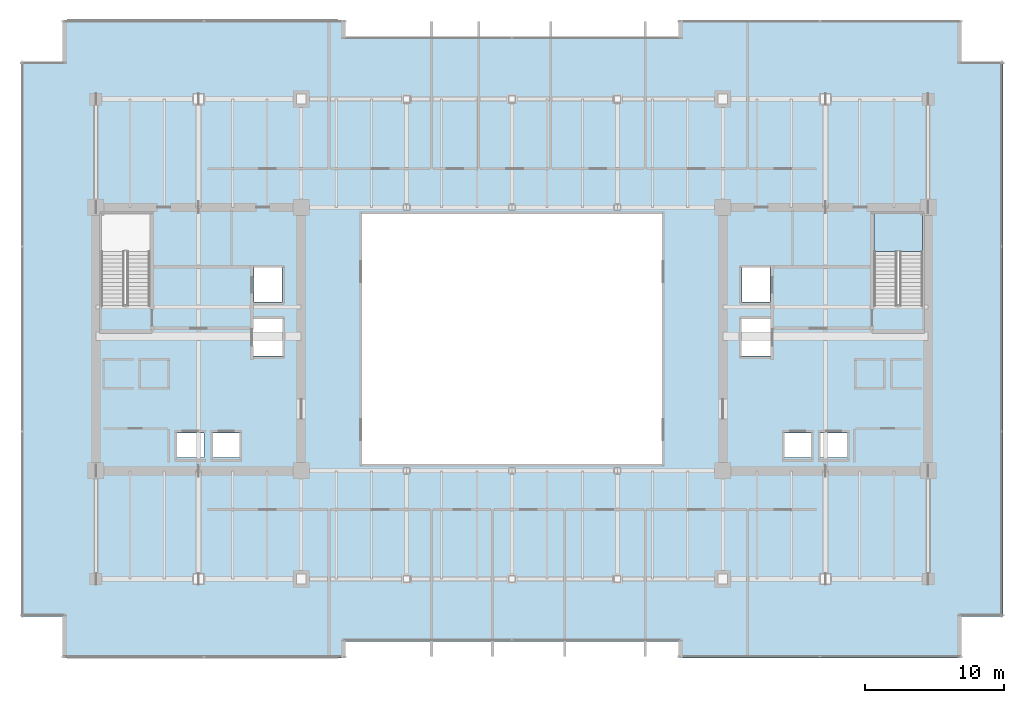
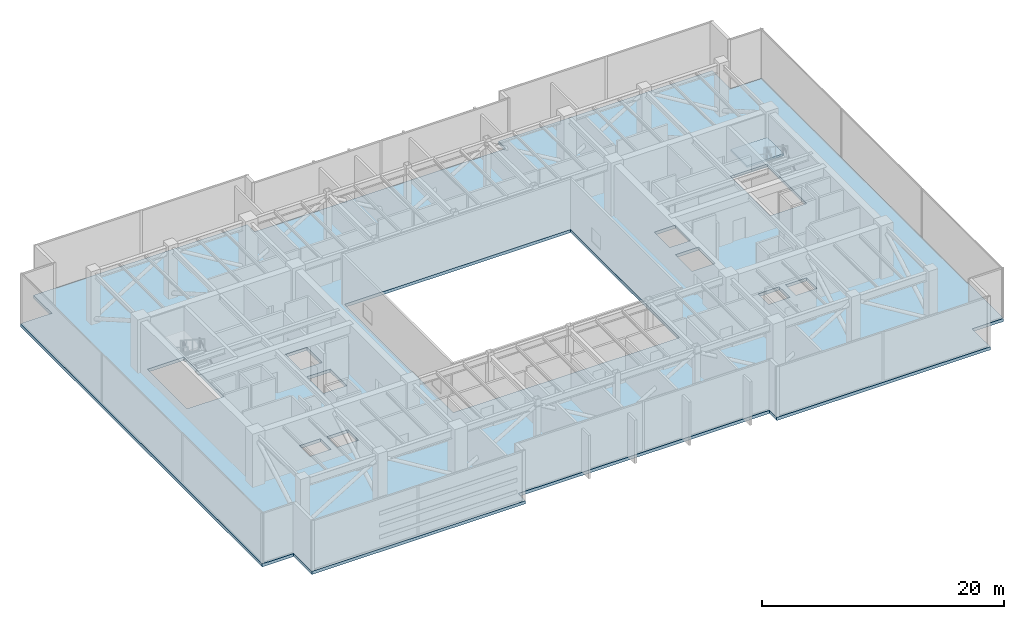
# One storey, part 25 of 34: 2 slabs, 1 element without a shape of its own.
"""IFC4 building model written with IfcOpenShell, lengths in metres."""

from ifc_helpers import new_model, si_unit, direction, frame, origin, place, context, subcontext, project, spatial, polyline, outline, extrude, material, layer, layer_set, type_object, element, aggregate, save


model = new_model("IFC4")

# Units and contexts
model_context = context("Model", 3, precision=1e-05, world=origin(), true_north=direction((0.0, 1.0)))
body_context = subcontext(model_context, "Body", "Model", "MODEL_VIEW")
ifc_project = project(units=[si_unit("LENGTHUNIT", "METRE"), si_unit("AREAUNIT", "SQUARE_METRE"), si_unit("VOLUMEUNIT", "CUBIC_METRE"), si_unit("PLANEANGLEUNIT", "RADIAN"), si_unit("MASSUNIT", "GRAM", prefix="KILO")], contexts=[model_context])

# Site, building, storey
site_placement = place(None, origin())
site = spatial("IfcSite", under=ifc_project, at=site_placement, CompositionType="ELEMENT")
building_placement = place(site_placement, origin())
building = spatial("IfcBuilding", under=site, at=building_placement, Name="Haelvirn Gate Laboratories", CompositionType="ELEMENT")
storey_placement = place(building_placement, frame((0.0, 0.0, 191.199951171875)))
storey = spatial("IfcBuildingStorey", under=building, at=storey_placement, Name="L46", CompositionType="ELEMENT", Elevation=191.199951171875)

# Stair, slab
ifc_material = material(Name="Concrete C40/50", Category="concrete")
stair_type = type_object("IfcStairType", Name="ST-DOG-1650-R30", PredefinedType="HALF_TURN_STAIR", material=ifc_material)
stair_placement = place(storey_placement, origin())
stair = element("IfcStair", 1, at=stair_placement, inside=storey, type_object=stair_type, Name="L46 Escape Stair ST2", PredefinedType="HALF_TURN_STAIR")
ifc_layer_1 = layer(ifc_material, 0.199951171875, Name="SL-STAIR-LND")
ifc_layer_set_1 = layer_set([ifc_layer_1], Name="Concrete C40/50")
slab_type_1 = type_object("IfcSlabType", Name="SL-STAIR-LND", PredefinedType="LANDING", material=ifc_layer_set_1)
slab_1_placement = place(storey_placement, frame((0.0, 0.0, 2.5)))
slab_1 = element("IfcSlab", 2, at=slab_1_placement, type_object=slab_type_1, Name="ST2 landing 1", PredefinedType="LANDING", context=body_context, shape_type="SweptSolid", body=[
    extrude(outline(polyline([(67.0, 30.6201171875), (67.0, 33.35009765625), (63.5, 33.35009765625), (63.5, 30.6201171875), (67.0, 30.6201171875)])), origin(), (0.0, 0.0, 1.0), 0.199951171875),
])
aggregate(stair, [slab_1])

# Slab
ifc_layer_2 = layer(ifc_material, 0.31005859375, Name="SL-Z2-310")
ifc_layer_set_2 = layer_set([ifc_layer_2], Name="Concrete C40/50")
slab_type_2 = type_object("IfcSlabType", Name="SL-Z2-310", PredefinedType="FLOOR", material=ifc_layer_set_2)
slab_2_placement = place(storey_placement, frame((0.0, 0.0, -0.31005859375)))
element("IfcSlab", 3, at=slab_2_placement, inside=storey, type_object=slab_type_2, Name="L46 Structural Slab MAIN", PredefinedType="FLOOR", context=body_context, shape_type="SweptSolid", body=[
    extrude(outline(polyline([(5.0, 1.300048828125), (25.39990234375, 1.300048828125), (25.39990234375, 2.5), (49.39990234375, 2.5), (49.39990234375, 1.300048828125), (69.800048828125, 1.300048828125), (69.800048828125, 4.300048828125), (72.800048828125, 4.300048828125), (72.800048828125, 44.300048828125), (69.800048828125, 44.300048828125), (69.800048828125, 47.300048828125), (49.39990234375, 47.300048828125), (49.39990234375, 46.10009765625), (25.39990234375, 46.10009765625), (25.39990234375, 47.300048828125), (5.0, 47.300048828125), (5.0, 44.300048828125), (2.0, 44.300048828125), (2.0, 4.300048828125), (5.0, 4.300048828125), (5.0, 1.300048828125)]), holes=[polyline([(26.60009765625, 15.300048828125), (48.199951171875, 15.300048828125), (48.199951171875, 33.300048828125), (26.60009765625, 33.300048828125), (26.60009765625, 15.300048828125)]), polyline([(11.300048828125, 26.780029296875), (11.300048828125, 33.35009765625), (7.800048828125, 33.35009765625), (7.800048828125, 26.780029296875), (11.300048828125, 26.780029296875)]), polyline([(67.0, 26.780029296875), (67.0, 33.35009765625), (63.5, 33.35009765625), (63.5, 26.780029296875), (67.0, 26.780029296875)]), polyline([(13.18994140625, 15.77001953125), (15.2099609375, 15.77001953125), (15.2099609375, 17.510009765625), (13.18994140625, 17.510009765625), (13.18994140625, 15.77001953125)]), polyline([(15.7900390625, 15.77001953125), (17.81005859375, 15.77001953125), (17.81005859375, 17.510009765625), (15.7900390625, 17.510009765625), (15.7900390625, 15.77001953125)]), polyline([(18.7900390625, 26.969970703125), (20.81005859375, 26.969970703125), (20.81005859375, 29.510009765625), (18.7900390625, 29.510009765625), (18.7900390625, 26.969970703125)]), polyline([(18.68994140625, 23.070068359375), (20.909912109375, 23.070068359375), (20.909912109375, 25.81005859375), (18.68994140625, 25.81005859375), (18.68994140625, 23.070068359375)]), polyline([(59.590087890625, 15.77001953125), (61.610107421875, 15.77001953125), (61.610107421875, 17.510009765625), (59.590087890625, 17.510009765625), (59.590087890625, 15.77001953125)]), polyline([(56.989990234375, 15.77001953125), (59.010009765625, 15.77001953125), (59.010009765625, 17.510009765625), (56.989990234375, 17.510009765625), (56.989990234375, 15.77001953125)]), polyline([(53.989990234375, 26.969970703125), (56.010009765625, 26.969970703125), (56.010009765625, 29.510009765625), (53.989990234375, 29.510009765625), (53.989990234375, 26.969970703125)]), polyline([(53.889892578125, 23.070068359375), (56.110107421875, 23.070068359375), (56.110107421875, 25.81005859375), (53.889892578125, 25.81005859375), (53.889892578125, 23.070068359375)])]), origin(), (0.0, 0.0, 1.0), 0.31005859375),
])

save(model, "model.ifc")
